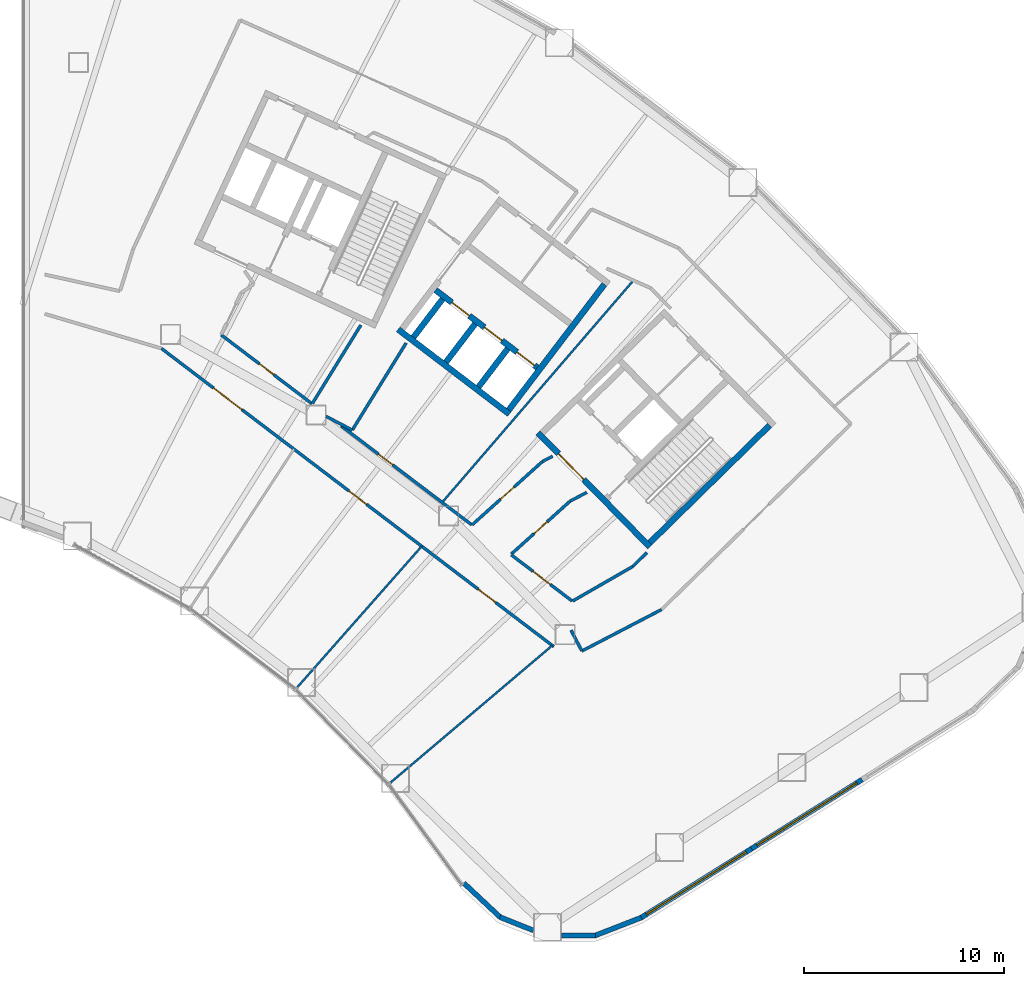
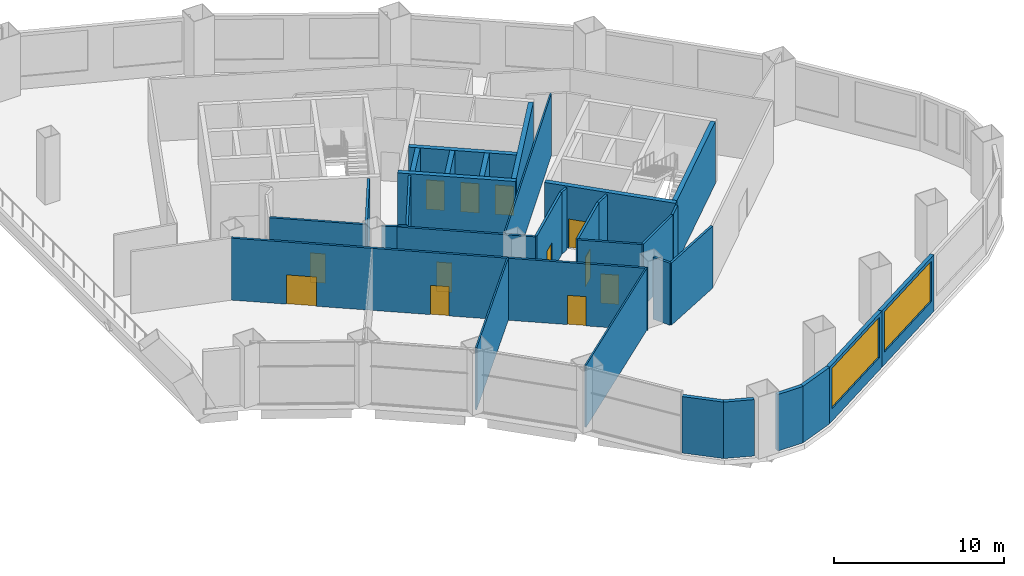
# One storey, part 15 of 20: 32 walls, 12 doors, 2 windows, 14 openings.
"""IFC4 building model written with IfcOpenShell, lengths in metres."""

from ifc_helpers import new_model, si_unit, direction, frame, frame_2d, origin, place, context, subcontext, project, spatial, rectangle, extrude, material, layer, layer_set, type_object, element, fill, save


model = new_model("IFC4")

# Units and contexts
model_context = context("Model", 3, precision=1e-05, world=origin(), true_north=direction((0.0, 1.0)))
body_context = subcontext(model_context, "Body", "Model", "MODEL_VIEW")
ifc_project = project(units=[si_unit("LENGTHUNIT", "METRE"), si_unit("AREAUNIT", "SQUARE_METRE"), si_unit("VOLUMEUNIT", "CUBIC_METRE"), si_unit("PLANEANGLEUNIT", "RADIAN"), si_unit("MASSUNIT", "GRAM", prefix="KILO")], contexts=[model_context])

# Site, building, storey
site_placement = place(None, origin())
site = spatial("IfcSite", under=ifc_project, at=site_placement, CompositionType="ELEMENT")
building_placement = place(site_placement, origin())
building = spatial("IfcBuilding", under=site, at=building_placement, Name="Tuul Gate Civic Tower", CompositionType="ELEMENT")
storey_placement = place(building_placement, frame((0.0, 0.0, 12.300048828125)))
storey = spatial("IfcBuildingStorey", under=building, at=storey_placement, Name="Level 02", CompositionType="ELEMENT", Elevation=12.300048828125)

# Wall, opening, door
ifc_material_1 = material(Name="Concrete C50/60", Category="concrete")
ifc_layer_1 = layer(ifc_material_1, 0.300048828125)
ifc_layer_set_1 = layer_set([ifc_layer_1], Name="Concrete C50/60")
wall_type_1 = type_object("IfcWallType", Name="Core wall C50/60", PredefinedType="SHEAR", material=ifc_layer_set_1)
wall_1_placement = place(storey_placement, frame((48.22509765625, -18.327880859375, 0.0), z_axis=(0.0, 0.0, 1.0), x_axis=(-0.700021979774, 0.714121297703, 0.0)))
wall_1 = element("IfcWall", 1, at=wall_1_placement, inside=storey, type_object=wall_type_1, Name="Core wall", PredefinedType="SHEAR", context=body_context, shape_type="SweptSolid", body=[
    extrude(rectangle(XDim=8.0, YDim=0.300048828125, at=frame_2d((4.0, 0.0))), origin(), (0.0, 0.0, 1.0), 4.449951171875),
])
opening_1_placement = place(wall_1_placement, frame((4.72509765625, 0.0, 0.0)))
opening_1 = element("IfcOpeningElement", 2, at=opening_1_placement, cuts=wall_1, Name="Opening LB-E1-LOBBY-1", PredefinedType="OPENING", context=body_context, shape_type="SweptSolid", body=[
    extrude(rectangle(XDim=1.800048828125, YDim=2.10009765625, at=frame_2d((0.89990234375, 1.050048828125))), frame((0.0, 0.16015625, 0.0), z_axis=(0.0, -1.0, 0.0), x_axis=(1.0, 0.0, 0.0)), (0.0, 0.0, 1.0), 0.320068359375),
])
ifc_material_2 = material(Name="Steel", Category="steel")
door_type_1 = type_object("IfcDoorType", Name="Lobby door", OperationType="DOUBLE_DOOR_SINGLE_SWING", PredefinedType="DOOR", material=ifc_material_2)
door_1_placement = place(opening_1_placement, frame((1.800048828125, 0.0, 0.0), z_axis=(0.0, 0.0, 1.0), x_axis=(-1.0, 0.0, 0.0)))
door_1 = element("IfcDoor", 3, at=door_1_placement, inside=storey, type_object=door_type_1, Name="Lobby door E1-LOBBY", OperationType="DOUBLE_DOOR_SINGLE_SWING", OverallHeight=2.10009765625, OverallWidth=1.800048828125, PredefinedType="DOOR", context=body_context, shape_type="SweptSolid", body=[
    extrude(rectangle(XDim=1.800048828125, YDim=2.10009765625, at=frame_2d((0.900146484375, 1.050048828125))), frame((0.0, 0.02490234375, 0.0), z_axis=(0.0, -1.0, 0.0), x_axis=(1.0, 0.0, 0.0)), (0.0, 0.0, 1.0), 0.050048828125),
])
fill(opening_1, door_1)

# Wall
wall_2_placement = place(storey_placement, frame((48.227294921875, -18.115966796875, 0.0), z_axis=(0.0, 0.0, 1.0), x_axis=(0.714105315431, 0.700038283577, 0.0)))
element("IfcWall", 4, at=wall_2_placement, inside=storey, type_object=wall_type_1, Name="Core wall", PredefinedType="SHEAR", context=body_context, shape_type="SweptSolid", body=[
    extrude(rectangle(XDim=8.400146484375, YDim=0.300048828125, at=frame_2d((4.2001953125, 0.0))), origin(), (0.0, 0.0, 1.0), 4.449951171875),
])

# Wall, openings, doors
ifc_material_3 = material(Name="Gypsum board partition")
ifc_layer_2 = layer(ifc_material_3, 0.14990234375)
ifc_layer_set_2 = layer_set([ifc_layer_2], Name="Gypsum board partition")
wall_type_2 = type_object("IfcWallType", Name="Corridor wall P150", PredefinedType="PARTITIONING", material=ifc_layer_set_2)
wall_3_placement = place(storey_placement, frame((23.77392578125, -8.393310546875, 0.0), z_axis=(0.0, 0.0, 1.0), x_axis=(0.796174017881, -0.605067709641, 0.0)))
wall_3 = element("IfcWall", 5, at=wall_3_placement, inside=storey, type_object=wall_type_2, Name="p013", PredefinedType="PARTITIONING", context=body_context, shape_type="SweptSolid", body=[
    extrude(rectangle(XDim=24.668701171875, YDim=0.14990234375, at=frame_2d((12.33447265625, 0.0))), origin(), (0.0, 0.0, 1.0), 4.449951171875),
])
opening_2_placement = place(wall_3_placement, frame((19.9208984375, 0.0, 0.0)))
opening_2 = element("IfcOpeningElement", 6, at=opening_2_placement, cuts=wall_3, Name="Opening QB-D02", PredefinedType="OPENING", context=body_context, shape_type="SweptSolid", body=[
    extrude(rectangle(XDim=1.10009765625, YDim=2.10009765625, at=frame_2d((0.550048828125, 1.050048828125))), frame((0.0, 0.0849609375, 0.0), z_axis=(0.0, -1.0, 0.0), x_axis=(1.0, 0.0, 0.0)), (0.0, 0.0, 1.0), 0.169921875),
])
opening_3_placement = place(wall_3_placement, frame((11.7978515625, 0.0, 0.0)))
opening_3 = element("IfcOpeningElement", 7, at=opening_3_placement, cuts=wall_3, Name="Opening QB-D03", PredefinedType="OPENING", context=body_context, shape_type="SweptSolid", body=[
    extrude(rectangle(XDim=1.10009765625, YDim=2.10009765625, at=frame_2d((0.550048828125, 1.050048828125))), frame((0.0, 0.0849609375, 0.0), z_axis=(0.0, -1.0, 0.0), x_axis=(1.0, 0.0, 0.0)), (0.0, 0.0, 1.0), 0.169921875),
])
opening_4_placement = place(wall_3_placement, frame((3.264892578125, 0.0, 0.0)))
opening_4 = element("IfcOpeningElement", 8, at=opening_4_placement, cuts=wall_3, Name="Opening QB-D04", PredefinedType="OPENING", context=body_context, shape_type="SweptSolid", body=[
    extrude(rectangle(XDim=1.800048828125, YDim=2.10009765625, at=frame_2d((0.89990234375, 1.050048828125))), frame((0.0, 0.0849609375, 0.0), z_axis=(0.0, -1.0, 0.0), x_axis=(1.0, 0.0, 0.0)), (0.0, 0.0, 1.0), 0.169921875),
])
ifc_material_4 = material(Name="Timber door leaf", Category="wood")
door_type_2 = type_object("IfcDoorType", Name="Door D11", OperationType="NOTDEFINED", PredefinedType="DOOR", material=ifc_material_4)
door_2_placement = place(opening_2_placement, frame((1.10009765625, 0.0, 0.0), z_axis=(0.0, 0.0, 1.0), x_axis=(-1.0, 0.0, 0.0)))
door_2 = element("IfcDoor", 9, at=door_2_placement, inside=storey, type_object=door_type_2, Name="Door QB-D02", OperationType="SINGLE_SWING_LEFT", OverallHeight=2.10009765625, OverallWidth=1.10009765625, PredefinedType="DOOR", context=body_context, shape_type="SweptSolid", body=[
    extrude(rectangle(XDim=1.10009765625, YDim=2.10009765625, at=frame_2d((0.550048828125, 1.050048828125))), frame((0.0, 0.02490234375, 0.0), z_axis=(0.0, -1.0, 0.0), x_axis=(1.0, 0.0, 0.0)), (0.0, 0.0, 1.0), 0.050048828125),
])
fill(opening_2, door_2)
door_3_placement = place(opening_3_placement, frame((1.10009765625, 0.0, 0.0), z_axis=(0.0, 0.0, 1.0), x_axis=(-1.0, 0.0, 0.0)))
door_3 = element("IfcDoor", 10, at=door_3_placement, inside=storey, type_object=door_type_2, Name="Door QB-D03", OperationType="SINGLE_SWING_LEFT", OverallHeight=2.10009765625, OverallWidth=1.10009765625, PredefinedType="DOOR", context=body_context, shape_type="SweptSolid", body=[
    extrude(rectangle(XDim=1.10009765625, YDim=2.10009765625, at=frame_2d((0.550048828125, 1.050048828125))), frame((0.0, 0.02490234375, 0.0), z_axis=(0.0, -1.0, 0.0), x_axis=(1.0, 0.0, 0.0)), (0.0, 0.0, 1.0), 0.050048828125),
])
fill(opening_3, door_3)
ifc_material_5 = material(Name="Timber door leaf, double", Category="wood")
door_type_3 = type_object("IfcDoorType", Name="Door D18", OperationType="DOUBLE_DOOR_SINGLE_SWING", PredefinedType="DOOR", material=ifc_material_5)
door_4_placement = place(opening_4_placement, frame((1.800048828125, 0.0, 0.0), z_axis=(0.0, 0.0, 1.0), x_axis=(-1.0, 0.0, 0.0)))
door_4 = element("IfcDoor", 11, at=door_4_placement, inside=storey, type_object=door_type_3, Name="Door QB-D04", OperationType="DOUBLE_DOOR_SINGLE_SWING", OverallHeight=2.10009765625, OverallWidth=1.800048828125, PredefinedType="DOOR", context=body_context, shape_type="SweptSolid", body=[
    extrude(rectangle(XDim=1.800048828125, YDim=2.10009765625, at=frame_2d((0.900146484375, 1.050048828125))), frame((0.0, 0.02490234375, 0.0), z_axis=(0.0, -1.0, 0.0), x_axis=(1.0, 0.0, 0.0)), (0.0, 0.0, 1.0), 0.050048828125),
])
fill(opening_4, door_4)

# Walls
wall_4_placement = place(storey_placement, frame((44.28125, -22.5009765625, 0.0), z_axis=(0.0, 0.0, 1.0), x_axis=(0.461647748517, -0.887063332739, 0.0)))
element("IfcWall", 12, at=wall_4_placement, inside=storey, type_object=wall_type_2, Name="p017", PredefinedType="PARTITIONING", context=body_context, shape_type="SweptSolid", body=[
    extrude(rectangle(XDim=1.17236328125, YDim=0.14990234375, at=frame_2d((0.586181640625, 0.0))), origin(), (0.0, 0.0, 1.0), 4.449951171875),
])
wall_5_placement = place(storey_placement, frame((44.822509765625, -23.541015625, 0.0), z_axis=(0.0, 0.0, 1.0), x_axis=(0.88704245399, 0.461687865142, 0.0)))
element("IfcWall", 13, at=wall_5_placement, inside=storey, type_object=wall_type_2, Name="p018", PredefinedType="PARTITIONING", context=body_context, shape_type="SweptSolid", body=[
    extrude(rectangle(XDim=4.495361328125, YDim=0.14990234375, at=frame_2d((2.24755859375, 0.0))), origin(), (0.0, 0.0, 1.0), 4.449951171875),
])
wall_6_placement = place(storey_placement, frame((47.370849609375, -19.305419921875, 0.0), z_axis=(0.0, 0.0, 1.0), x_axis=(0.714075247731, 0.700068954159, 0.0)))
element("IfcWall", 14, at=wall_6_placement, inside=storey, type_object=wall_type_2, Name="p043", PredefinedType="PARTITIONING", context=body_context, shape_type="SweptSolid", body=[
    extrude(rectangle(XDim=0.99365234375, YDim=0.14990234375, at=frame_2d((0.496826171875, 0.0))), origin(), (0.0, 0.0, 1.0), 4.449951171875),
])
wall_7_placement = place(storey_placement, frame((44.35986328125, -21.039306640625, 0.0), z_axis=(0.0, 0.0, 1.0), x_axis=(0.866710059608, 0.498812261852, 0.0)))
element("IfcWall", 15, at=wall_7_placement, inside=storey, type_object=wall_type_2, Name="p044", PredefinedType="PARTITIONING", context=body_context, shape_type="SweptSolid", body=[
    extrude(rectangle(XDim=3.46875, YDim=0.14990234375, at=frame_2d((1.734375, 0.0))), origin(), (0.0, 0.0, 1.0), 4.449951171875),
])

# Wall, opening, door
wall_8_placement = place(storey_placement, frame((26.769775390625, -7.71630859375, 0.0), z_axis=(0.0, 0.0, 1.0), x_axis=(0.796809603835, -0.604230465332, 0.0)))
wall_8 = element("IfcWall", 16, at=wall_8_placement, inside=storey, type_object=wall_type_2, Name="p045", PredefinedType="PARTITIONING", context=body_context, shape_type="SweptSolid", body=[
    extrude(rectangle(XDim=5.685791015625, YDim=0.14990234375, at=frame_2d((2.8427734375, 0.0))), origin(), (0.0, 0.0, 1.0), 4.449951171875),
])
opening_5_placement = place(wall_8_placement, frame((2.392822265625, 0.0, 0.0)))
opening_5 = element("IfcOpeningElement", 17, at=opening_5_placement, cuts=wall_8, Name="Opening QB-D17", PredefinedType="OPENING", context=body_context, shape_type="SweptSolid", body=[
    extrude(rectangle(XDim=0.89990234375, YDim=2.10009765625, at=frame_2d((0.449951171875, 1.050048828125))), frame((0.0, 0.0849609375, 0.0), z_axis=(0.0, -1.0, 0.0), x_axis=(1.0, 0.0, 0.0)), (0.0, 0.0, 1.0), 0.169921875),
])
ifc_material_6 = material(Name="Timber door leaf", Category="wood")
door_type_4 = type_object("IfcDoorType", Name="Door D09", OperationType="NOTDEFINED", PredefinedType="DOOR", material=ifc_material_6)
door_5_placement = place(opening_5_placement, origin())
door_5 = element("IfcDoor", 18, at=door_5_placement, inside=storey, type_object=door_type_4, Name="Door QB-D17", OperationType="SINGLE_SWING_RIGHT", OverallHeight=2.10009765625, OverallWidth=0.89990234375, PredefinedType="DOOR", context=body_context, shape_type="SweptSolid", body=[
    extrude(rectangle(XDim=0.89990234375, YDim=2.10009765625, at=frame_2d((0.449951171875, 1.050048828125))), frame((0.0, 0.02490234375, 0.0), z_axis=(0.0, -1.0, 0.0), x_axis=(1.0, 0.0, 0.0)), (0.0, 0.0, 1.0), 0.050048828125),
])
fill(opening_5, door_5)

wall_9_placement = place(storey_placement, frame((32.77490234375, -12.270263671875, 0.0), z_axis=(0.0, 0.0, 1.0), x_axis=(0.796825290456, -0.604209778546, 0.0)))
wall_9 = element("IfcWall", 19, at=wall_9_placement, inside=storey, type_object=wall_type_2, Name="p046", PredefinedType="PARTITIONING", context=body_context, shape_type="SweptSolid", body=[
    extrude(rectangle(XDim=8.195556640625, YDim=0.14990234375, at=frame_2d((4.09765625, 0.0))), origin(), (0.0, 0.0, 1.0), 4.449951171875),
])
opening_6_placement = place(wall_9_placement, frame((2.344482421875, 0.0, 0.0)))
opening_6 = element("IfcOpeningElement", 20, at=opening_6_placement, cuts=wall_9, Name="Opening QB-D16", PredefinedType="OPENING", context=body_context, shape_type="SweptSolid", body=[
    extrude(rectangle(XDim=0.89990234375, YDim=2.10009765625, at=frame_2d((0.449951171875, 1.050048828125))), frame((0.0, 0.0849609375, 0.0), z_axis=(0.0, -1.0, 0.0), x_axis=(1.0, 0.0, 0.0)), (0.0, 0.0, 1.0), 0.169921875),
])
door_6_placement = place(opening_6_placement, origin())
door_6 = element("IfcDoor", 21, at=door_6_placement, inside=storey, type_object=door_type_4, Name="Door QB-D16", OperationType="SINGLE_SWING_RIGHT", OverallHeight=2.10009765625, OverallWidth=0.89990234375, PredefinedType="DOOR", context=body_context, shape_type="SweptSolid", body=[
    extrude(rectangle(XDim=0.89990234375, YDim=2.10009765625, at=frame_2d((0.449951171875, 1.050048828125))), frame((0.0, 0.02490234375, 0.0), z_axis=(0.0, -1.0, 0.0), x_axis=(1.0, 0.0, 0.0)), (0.0, 0.0, 1.0), 0.050048828125),
])
fill(opening_6, door_6)

wall_10_placement = place(storey_placement, frame((41.285400390625, -18.723876953125, 0.0), z_axis=(0.0, 0.0, 1.0), x_axis=(0.796814039797, -0.604224615505, 0.0)))
wall_10 = element("IfcWall", 22, at=wall_10_placement, inside=storey, type_object=wall_type_2, Name="p047", PredefinedType="PARTITIONING", context=body_context, shape_type="SweptSolid", body=[
    extrude(rectangle(XDim=3.82958984375, YDim=0.14990234375, at=frame_2d((1.914794921875, 0.0))), origin(), (0.0, 0.0, 1.0), 4.449951171875),
])
opening_7_placement = place(wall_10_placement, frame((1.364990234375, 0.0, 0.0)))
opening_7 = element("IfcOpeningElement", 23, at=opening_7_placement, cuts=wall_10, Name="Opening QB-D19", PredefinedType="OPENING", context=body_context, shape_type="SweptSolid", body=[
    extrude(rectangle(XDim=1.10009765625, YDim=2.10009765625, at=frame_2d((0.550048828125, 1.050048828125))), frame((0.0, 0.0849609375, 0.0), z_axis=(0.0, -1.0, 0.0), x_axis=(1.0, 0.0, 0.0)), (0.0, 0.0, 1.0), 0.169921875),
])
door_7_placement = place(opening_7_placement, origin())
door_7 = element("IfcDoor", 24, at=door_7_placement, inside=storey, type_object=door_type_2, Name="Door QB-D19", OperationType="SINGLE_SWING_LEFT", OverallHeight=2.10009765625, OverallWidth=1.10009765625, PredefinedType="DOOR", context=body_context, shape_type="SweptSolid", body=[
    extrude(rectangle(XDim=1.10009765625, YDim=2.10009765625, at=frame_2d((0.550048828125, 1.050048828125))), frame((0.0, 0.02490234375, 0.0), z_axis=(0.0, -1.0, 0.0), x_axis=(1.0, 0.0, 0.0)), (0.0, 0.0, 1.0), 0.050048828125),
])
fill(opening_7, door_7)

wall_11_placement = place(storey_placement, frame((41.2841796875, -18.6923828125, 0.0), z_axis=(0.0, 0.0, 1.0), x_axis=(0.742883369113, 0.669420869032, 0.0)))
wall_11 = element("IfcWall", 25, at=wall_11_placement, inside=storey, type_object=wall_type_2, Name="p048", PredefinedType="PARTITIONING", context=body_context, shape_type="SweptSolid", body=[
    extrude(rectangle(XDim=3.96142578125, YDim=0.14990234375, at=frame_2d((1.980712890625, 0.0))), origin(), (0.0, 0.0, 1.0), 4.449951171875),
])
opening_8_placement = place(wall_11_placement, frame((1.53076171875, 0.0, 0.0)))
opening_8 = element("IfcOpeningElement", 26, at=opening_8_placement, cuts=wall_11, Name="Opening QB-D12", PredefinedType="OPENING", context=body_context, shape_type="SweptSolid", body=[
    extrude(rectangle(XDim=0.89990234375, YDim=2.10009765625, at=frame_2d((0.449951171875, 1.050048828125))), frame((0.0, 0.0849609375, 0.0), z_axis=(0.0, -1.0, 0.0), x_axis=(1.0, 0.0, 0.0)), (0.0, 0.0, 1.0), 0.169921875),
])
door_8_placement = place(opening_8_placement, frame((0.89990234375, 0.0, 0.0), z_axis=(0.0, 0.0, 1.0), x_axis=(-1.0, 0.0, 0.0)))
door_8 = element("IfcDoor", 27, at=door_8_placement, inside=storey, type_object=door_type_4, Name="Door QB-D12", OperationType="SINGLE_SWING_LEFT", OverallHeight=2.10009765625, OverallWidth=0.89990234375, PredefinedType="DOOR", context=body_context, shape_type="SweptSolid", body=[
    extrude(rectangle(XDim=0.89990234375, YDim=2.10009765625, at=frame_2d((0.449951171875, 1.050048828125))), frame((0.0, 0.02490234375, 0.0), z_axis=(0.0, -1.0, 0.0), x_axis=(1.0, 0.0, 0.0)), (0.0, 0.0, 1.0), 0.050048828125),
])
fill(opening_8, door_8)

# Wall
wall_12_placement = place(storey_placement, frame((44.231689453125, -16.037109375, 0.0), z_axis=(0.0, 0.0, 1.0), x_axis=(0.885528066976, 0.464585882908, 0.0)))
element("IfcWall", 28, at=wall_12_placement, inside=storey, type_object=wall_type_2, Name="p049", PredefinedType="PARTITIONING", context=body_context, shape_type="SweptSolid", body=[
    extrude(rectangle(XDim=0.9453125, YDim=0.14990234375, at=frame_2d((0.47265625, 0.0))), origin(), (0.0, 0.0, 1.0), 4.449951171875),
])

# Wall, opening, door
wall_13_placement = place(storey_placement, frame((39.33154296875, -17.22119140625, 0.0), z_axis=(0.0, 0.0, 1.0), x_axis=(0.742886110646, 0.669417826629, 0.0)))
wall_13 = element("IfcWall", 29, at=wall_13_placement, inside=storey, type_object=wall_type_2, Name="p059", PredefinedType="PARTITIONING", context=body_context, shape_type="SweptSolid", body=[
    extrude(rectangle(XDim=4.732177734375, YDim=0.14990234375, at=frame_2d((2.3662109375, 0.0))), origin(), (0.0, 0.0, 1.0), 4.449951171875),
])
opening_9_placement = place(wall_13_placement, frame((1.916015625, 0.0, 0.0)))
opening_9 = element("IfcOpeningElement", 30, at=opening_9_placement, cuts=wall_13, Name="Opening QB-D15", PredefinedType="OPENING", context=body_context, shape_type="SweptSolid", body=[
    extrude(rectangle(XDim=0.89990234375, YDim=2.10009765625, at=frame_2d((0.449951171875, 1.050048828125))), frame((0.0, 0.0849609375, 0.0), z_axis=(0.0, -1.0, 0.0), x_axis=(1.0, 0.0, 0.0)), (0.0, 0.0, 1.0), 0.169921875),
])
door_9_placement = place(opening_9_placement, origin())
door_9 = element("IfcDoor", 31, at=door_9_placement, inside=storey, type_object=door_type_4, Name="Door QB-D15", OperationType="SINGLE_SWING_RIGHT", OverallHeight=2.10009765625, OverallWidth=0.89990234375, PredefinedType="DOOR", context=body_context, shape_type="SweptSolid", body=[
    extrude(rectangle(XDim=0.89990234375, YDim=2.10009765625, at=frame_2d((0.449951171875, 1.050048828125))), frame((0.0, 0.02490234375, 0.0), z_axis=(0.0, -1.0, 0.0), x_axis=(1.0, 0.0, 0.0)), (0.0, 0.0, 1.0), 0.050048828125),
])
fill(opening_9, door_9)

# Walls
wall_14_placement = place(storey_placement, frame((42.846923828125, -14.053466796875, 0.0), z_axis=(0.0, 0.0, 1.0), x_axis=(0.886098212809, 0.4634975267, 0.0)))
element("IfcWall", 32, at=wall_14_placement, inside=storey, type_object=wall_type_2, Name="p062", PredefinedType="PARTITIONING", context=body_context, shape_type="SweptSolid", body=[
    extrude(rectangle(XDim=0.572998046875, YDim=0.14990234375, at=frame_2d((0.28662109375, 0.0))), origin(), (0.0, 0.0, 1.0), 4.449951171875),
])
wall_15_placement = place(storey_placement, frame((32.0, -11.7841796875, 0.0), z_axis=(0.0, 0.0, 1.0), x_axis=(0.885518639526, -0.46460385174, 0.0)))
element("IfcWall", 33, at=wall_15_placement, inside=storey, type_object=wall_type_2, Name="p063", PredefinedType="PARTITIONING", context=body_context, shape_type="SweptSolid", body=[
    extrude(rectangle(XDim=1.49755859375, YDim=0.14990234375, at=frame_2d((0.748779296875, 0.0))), origin(), (0.0, 0.0, 1.0), 4.449951171875),
])
wall_16_placement = place(storey_placement, frame((33.3271484375, -12.47998046875, 0.0), z_axis=(0.0, 0.0, 1.0), x_axis=(0.525788895355, 0.850615093636, 0.0)))
element("IfcWall", 34, at=wall_16_placement, inside=storey, type_object=wall_type_2, Name="p064", PredefinedType="PARTITIONING", context=body_context, shape_type="SweptSolid", body=[
    extrude(rectangle(XDim=5.126708984375, YDim=0.14990234375, at=frame_2d((2.5634765625, 0.0))), origin(), (0.0, 0.0, 1.0), 4.449951171875),
])
wall_17_placement = place(storey_placement, frame((31.329833984375, -11.146240234375, 0.0), z_axis=(0.0, 0.0, 1.0), x_axis=(0.525811656339, 0.850601024016, 0.0)))
element("IfcWall", 35, at=wall_17_placement, inside=storey, type_object=wall_type_2, Name="p065", PredefinedType="PARTITIONING", context=body_context, shape_type="SweptSolid", body=[
    extrude(rectangle(XDim=4.61376953125, YDim=0.14990234375, at=frame_2d((2.306884765625, 0.0))), origin(), (0.0, 0.0, 1.0), 4.449951171875),
])
ifc_material_7 = material(Name="Precast concrete C40/50", Category="concrete")
ifc_layer_3 = layer(ifc_material_7, 0.25)
ifc_layer_set_3 = layer_set([ifc_layer_3], Name="Precast concrete C40/50")
wall_type_3 = type_object("IfcWallType", Name="External wall", PredefinedType="STANDARD", material=ifc_layer_set_3)
wall_18_placement = place(storey_placement, frame((38.91552734375, -35.162353515625, 0.0), z_axis=(0.0, 0.0, 1.0), x_axis=(0.72981484367, -0.683644859528, 0.0)))
element("IfcWall", 36, at=wall_18_placement, inside=storey, type_object=wall_type_3, Name="External wall", PredefinedType="STANDARD", context=body_context, shape_type="SweptSolid", body=[
    extrude(rectangle(XDim=2.522216796875, YDim=0.25, at=frame_2d((1.26123046875, 0.0))), origin(), (0.0, 0.0, 1.0), 4.050048828125),
])
wall_19_placement = place(storey_placement, frame((40.717041015625, -36.86181640625, 0.0), z_axis=(0.0, 0.0, 1.0), x_axis=(0.929466539536, -0.368906427001, 0.0)))
element("IfcWall", 37, at=wall_19_placement, inside=storey, type_object=wall_type_3, Name="External wall", PredefinedType="STANDARD", context=body_context, shape_type="SweptSolid", body=[
    extrude(rectangle(XDim=1.81396484375, YDim=0.25, at=frame_2d((0.906982421875, 0.0))), origin(), (0.0, 0.0, 1.0), 4.050048828125),
])
wall_20_placement = place(storey_placement, frame((43.802978515625, -37.780517578125, 0.0), z_axis=(0.0, 0.0, 1.0), x_axis=(0.999995034341, -0.003151395324, 0.0)))
element("IfcWall", 38, at=wall_20_placement, inside=storey, type_object=wall_type_3, Name="External wall", PredefinedType="STANDARD", context=body_context, shape_type="SweptSolid", body=[
    extrude(rectangle(XDim=1.704345703125, YDim=0.25, at=frame_2d((0.85205078125, 0.0))), origin(), (0.0, 0.0, 1.0), 4.050048828125),
])
wall_21_placement = place(storey_placement, frame((45.461669921875, -37.79443359375, 0.0), z_axis=(0.0, 0.0, 1.0), x_axis=(0.931986397936, 0.36249324692, 0.0)))
element("IfcWall", 39, at=wall_21_placement, inside=storey, type_object=wall_type_3, Name="External wall", PredefinedType="STANDARD", context=body_context, shape_type="SweptSolid", body=[
    extrude(rectangle(XDim=2.507568359375, YDim=0.25, at=frame_2d((1.25390625, 0.0))), origin(), (0.0, 0.0, 1.0), 4.050048828125),
])

# Wall, opening, window
wall_22_placement = place(storey_placement, frame((47.77783203125, -36.89599609375, 0.0), z_axis=(0.0, 0.0, 1.0), x_axis=(0.848025609636, 0.529955248489, 0.0)))
wall_22 = element("IfcWall", 40, at=wall_22_placement, inside=storey, type_object=wall_type_3, Name="External wall", PredefinedType="STANDARD", context=body_context, shape_type="SweptSolid", body=[
    extrude(rectangle(XDim=6.52978515625, YDim=0.25, at=frame_2d((3.264892578125, 0.0))), origin(), (0.0, 0.0, 1.0), 4.050048828125),
])
opening_10_placement = place(wall_22_placement, frame((0.314697265625, 0.0, 0.89990234375)))
opening_10 = element("IfcOpeningElement", 41, at=opening_10_placement, cuts=wall_22, Name="Opening W14", PredefinedType="OPENING", context=body_context, shape_type="SweptSolid", body=[
    extrude(rectangle(XDim=5.89990234375, YDim=2.89990234375, at=frame_2d((2.949951171875, 1.449951171875))), frame((0.0, 0.135009765625, 0.0), z_axis=(0.0, -1.0, 0.0), x_axis=(1.0, 0.0, 0.0)), (0.0, 0.0, 1.0), 0.27001953125),
])
ifc_material_8 = material(Name="Glass", Category="glass")
window_type = type_object("IfcWindowType", Name="Window W14 5900 x 2900", PartitioningType="SINGLE_PANEL", PredefinedType="WINDOW", material=ifc_material_8)
window_1_placement = place(opening_10_placement, origin())
window_1 = element("IfcWindow", 42, at=window_1_placement, inside=storey, type_object=window_type, Name="Window", OverallHeight=2.89990234375, OverallWidth=5.89990234375, PartitioningType="SINGLE_PANEL", PredefinedType="WINDOW", context=body_context, shape_type="SweptSolid", body=[
    extrude(rectangle(XDim=5.89990234375, YDim=2.89990234375, at=frame_2d((2.949951171875, 1.449951171875))), frame((0.0, 0.030029296875, 0.0), z_axis=(0.0, -1.0, 0.0), x_axis=(1.0, 0.0, 0.0)), (0.0, 0.0, 1.0), 0.06005859375),
])
fill(opening_10, window_1)

wall_23_placement = place(storey_placement, frame((53.315185546875, -33.435546875, 0.0), z_axis=(0.0, 0.0, 1.0), x_axis=(0.848042412856, 0.529928359306, 0.0)))
wall_23 = element("IfcWall", 43, at=wall_23_placement, inside=storey, type_object=wall_type_3, Name="External wall", PredefinedType="STANDARD", context=body_context, shape_type="SweptSolid", body=[
    extrude(rectangle(XDim=6.529541015625, YDim=0.25, at=frame_2d((3.2646484375, 0.0))), origin(), (0.0, 0.0, 1.0), 4.050048828125),
])
opening_11_placement = place(wall_23_placement, frame((0.314697265625, 0.0, 0.89990234375)))
opening_11 = element("IfcOpeningElement", 44, at=opening_11_placement, cuts=wall_23, Name="Opening W14", PredefinedType="OPENING", context=body_context, shape_type="SweptSolid", body=[
    extrude(rectangle(XDim=5.89990234375, YDim=2.89990234375, at=frame_2d((2.949951171875, 1.449951171875))), frame((0.0, 0.135009765625, 0.0), z_axis=(0.0, -1.0, 0.0), x_axis=(1.0, 0.0, 0.0)), (0.0, 0.0, 1.0), 0.27001953125),
])
window_2_placement = place(opening_11_placement, origin())
window_2 = element("IfcWindow", 45, at=window_2_placement, inside=storey, type_object=window_type, Name="Window", OverallHeight=2.89990234375, OverallWidth=5.89990234375, PartitioningType="SINGLE_PANEL", PredefinedType="WINDOW", context=body_context, shape_type="SweptSolid", body=[
    extrude(rectangle(XDim=5.89990234375, YDim=2.89990234375, at=frame_2d((2.949951171875, 1.449951171875))), frame((0.0, 0.030029296875, 0.0), z_axis=(0.0, -1.0, 0.0), x_axis=(1.0, 0.0, 0.0)), (0.0, 0.0, 1.0), 0.06005859375),
])
fill(opening_11, window_2)

# Wall
ifc_material_9 = material(Name="Concrete C40/50", Category="concrete")
ifc_layer_4 = layer(ifc_material_9, 0.300048828125)
ifc_layer_set_4 = layer_set([ifc_layer_4], Name="Concrete C40/50")
wall_type_4 = type_object("IfcWallType", Name="Lift shaft wall C40/50", PredefinedType="STANDARD", material=ifc_layer_set_4)
wall_24_placement = place(storey_placement, frame((41.19189453125, -11.677734375, 0.0), z_axis=(0.0, 0.0, 1.0), x_axis=(-0.795563000331, 0.605870871147, 0.0)))
element("IfcWall", 46, at=wall_24_placement, inside=storey, type_object=wall_type_4, Name="Shaft wall", PredefinedType="STANDARD", context=body_context, shape_type="SweptSolid", body=[
    extrude(rectangle(XDim=7.000244140625, YDim=0.300048828125, at=frame_2d((3.5, 0.0))), origin(), (0.0, 0.0, 1.0), 4.449951171875),
])

# Wall, openings, doors
wall_25_placement = place(storey_placement, frame((42.5888671875, -9.34765625, 0.0), z_axis=(0.0, 0.0, 1.0), x_axis=(-0.795584062101, 0.605843214149, 0.0)))
wall_25 = element("IfcWall", 47, at=wall_25_placement, inside=storey, type_object=wall_type_4, Name="Shaft wall", PredefinedType="STANDARD", context=body_context, shape_type="SweptSolid", body=[
    extrude(rectangle(XDim=6.400146484375, YDim=0.300048828125, at=frame_2d((3.2001953125, 0.0))), origin(), (0.0, 0.0, 1.0), 4.449951171875),
])
opening_12_placement = place(wall_25_placement, frame((0.175048828125, 0.0, 0.0)))
opening_12 = element("IfcOpeningElement", 48, at=opening_12_placement, cuts=wall_25, Name="Opening LD-L1", PredefinedType="OPENING", context=body_context, shape_type="SweptSolid", body=[
    extrude(rectangle(XDim=1.10009765625, YDim=2.10009765625, at=frame_2d((0.550048828125, 1.050048828125))), frame((0.0, 0.16015625, 0.0), z_axis=(0.0, -1.0, 0.0), x_axis=(1.0, 0.0, 0.0)), (0.0, 0.0, 1.0), 0.320068359375),
])
opening_13_placement = place(wall_25_placement, frame((2.22509765625, 0.0, 0.0)))
opening_13 = element("IfcOpeningElement", 49, at=opening_13_placement, cuts=wall_25, Name="Opening LD-L2", PredefinedType="OPENING", context=body_context, shape_type="SweptSolid", body=[
    extrude(rectangle(XDim=1.10009765625, YDim=2.10009765625, at=frame_2d((0.550048828125, 1.050048828125))), frame((0.0, 0.16015625, 0.0), z_axis=(0.0, -1.0, 0.0), x_axis=(1.0, 0.0, 0.0)), (0.0, 0.0, 1.0), 0.320068359375),
])
opening_14_placement = place(wall_25_placement, frame((4.27490234375, 0.0, 0.0)))
opening_14 = element("IfcOpeningElement", 50, at=opening_14_placement, cuts=wall_25, Name="Opening LD-L3", PredefinedType="OPENING", context=body_context, shape_type="SweptSolid", body=[
    extrude(rectangle(XDim=1.10009765625, YDim=2.10009765625, at=frame_2d((0.550048828125, 1.050048828125))), frame((0.0, 0.16015625, 0.0), z_axis=(0.0, -1.0, 0.0), x_axis=(1.0, 0.0, 0.0)), (0.0, 0.0, 1.0), 0.320068359375),
])
ifc_material_10 = material(Name="Stainless steel", Category="steel")
door_type_5 = type_object("IfcDoorType", Name="Landing door", OperationType="DOUBLE_DOOR_SLIDING", PredefinedType="DOOR", material=ifc_material_10)
door_10_placement = place(opening_12_placement, origin())
door_10 = element("IfcDoor", 51, at=door_10_placement, inside=storey, type_object=door_type_5, Name="Low-rise lift L1 landing door", OperationType="DOUBLE_DOOR_SLIDING", OverallHeight=2.10009765625, OverallWidth=1.10009765625, PredefinedType="DOOR", context=body_context, shape_type="SweptSolid", body=[
    extrude(rectangle(XDim=1.10009765625, YDim=2.10009765625, at=frame_2d((0.550048828125, 1.050048828125))), frame((0.0, 0.02490234375, 0.0), z_axis=(0.0, -1.0, 0.0), x_axis=(1.0, 0.0, 0.0)), (0.0, 0.0, 1.0), 0.050048828125),
])
fill(opening_12, door_10)
door_11_placement = place(opening_13_placement, origin())
door_11 = element("IfcDoor", 52, at=door_11_placement, inside=storey, type_object=door_type_5, Name="Low-rise lift L2 landing door", OperationType="DOUBLE_DOOR_SLIDING", OverallHeight=2.10009765625, OverallWidth=1.10009765625, PredefinedType="DOOR", context=body_context, shape_type="SweptSolid", body=[
    extrude(rectangle(XDim=1.10009765625, YDim=2.10009765625, at=frame_2d((0.550048828125, 1.050048828125))), frame((0.0, 0.02490234375, 0.0), z_axis=(0.0, -1.0, 0.0), x_axis=(1.0, 0.0, 0.0)), (0.0, 0.0, 1.0), 0.050048828125),
])
fill(opening_13, door_11)
door_12_placement = place(opening_14_placement, origin())
door_12 = element("IfcDoor", 53, at=door_12_placement, inside=storey, type_object=door_type_5, Name="Low-rise lift L3 landing door", OperationType="DOUBLE_DOOR_SLIDING", OverallHeight=2.10009765625, OverallWidth=1.10009765625, PredefinedType="DOOR", context=body_context, shape_type="SweptSolid", body=[
    extrude(rectangle(XDim=1.10009765625, YDim=2.10009765625, at=frame_2d((0.550048828125, 1.050048828125))), frame((0.0, 0.02490234375, 0.0), z_axis=(0.0, -1.0, 0.0), x_axis=(1.0, 0.0, 0.0)), (0.0, 0.0, 1.0), 0.050048828125),
])
fill(opening_14, door_12)

# Walls
wall_26_placement = place(storey_placement, frame((41.163330078125, -11.46728515625, 0.0), z_axis=(0.0, 0.0, 1.0), x_axis=(0.605784332699, 0.795628897324, 0.0)))
element("IfcWall", 54, at=wall_26_placement, inside=storey, type_object=wall_type_4, Name="Shaft wall", PredefinedType="STANDARD", context=body_context, shape_type="SweptSolid", body=[
    extrude(rectangle(XDim=7.89990234375, YDim=0.300048828125, at=frame_2d((3.949951171875, 0.0))), origin(), (0.0, 0.0, 1.0), 4.449951171875),
])
wall_27_placement = place(storey_placement, frame((39.65185546875, -10.31640625, 0.0), z_axis=(0.0, 0.0, 1.0), x_axis=(0.605745892068, 0.79565816419, 0.0)))
element("IfcWall", 55, at=wall_27_placement, inside=storey, type_object=wall_type_4, Name="Shaft wall", PredefinedType="STANDARD", context=body_context, shape_type="SweptSolid", body=[
    extrude(rectangle(XDim=2.400146484375, YDim=0.300048828125, at=frame_2d((1.2001953125, 0.0))), origin(), (0.0, 0.0, 1.0), 4.449951171875),
])
wall_28_placement = place(storey_placement, frame((38.02099609375, -9.07421875, 0.0), z_axis=(0.0, 0.0, 1.0), x_axis=(0.605730519254, 0.795669867498, 0.0)))
element("IfcWall", 56, at=wall_28_placement, inside=storey, type_object=wall_type_4, Name="Shaft wall", PredefinedType="STANDARD", context=body_context, shape_type="SweptSolid", body=[
    extrude(rectangle(XDim=2.399658203125, YDim=0.300048828125, at=frame_2d((1.19970703125, 0.0))), origin(), (0.0, 0.0, 1.0), 4.449951171875),
])
wall_29_placement = place(storey_placement, frame((36.389892578125, -7.832275390625, 0.0), z_axis=(0.0, 0.0, 1.0), x_axis=(0.605745892068, 0.79565816419, 0.0)))
element("IfcWall", 57, at=wall_29_placement, inside=storey, type_object=wall_type_4, Name="Shaft wall", PredefinedType="STANDARD", context=body_context, shape_type="SweptSolid", body=[
    extrude(rectangle(XDim=2.400146484375, YDim=0.300048828125, at=frame_2d((1.2001953125, 0.0))), origin(), (0.0, 0.0, 1.0), 4.449951171875),
])
ifc_material_11 = material(Name="Gypsum board partition")
ifc_layer_5 = layer(ifc_material_11, 0.10009765625)
ifc_layer_set_5 = layer_set([ifc_layer_5], Name="Gypsum board partition")
wall_type_5 = type_object("IfcWallType", Name="Partition P100", PredefinedType="PARTITIONING", material=ifc_layer_set_5)
wall_30_placement = place(storey_placement, frame((35.239990234375, -30.12939453125, 0.0), z_axis=(0.0, 0.0, 1.0), x_axis=(0.762825250115, 0.646604699787, 0.0)))
element("IfcWall", 58, at=wall_30_placement, inside=storey, type_object=wall_type_5, Name="p001", PredefinedType="PARTITIONING", context=body_context, shape_type="SweptSolid", body=[
    extrude(rectangle(XDim=10.618896484375, YDim=0.10009765625, at=frame_2d((5.3095703125, 0.0))), origin(), (0.0, 0.0, 1.0), 4.449951171875),
])
wall_31_placement = place(storey_placement, frame((30.567626953125, -25.36279296875, 0.0), z_axis=(0.0, 0.0, 1.0), x_axis=(0.661685887602, 0.749781158838, 0.0)))
element("IfcWall", 59, at=wall_31_placement, inside=storey, type_object=wall_type_5, Name="p012", PredefinedType="PARTITIONING", context=body_context, shape_type="SweptSolid", body=[
    extrude(rectangle(XDim=9.42529296875, YDim=0.10009765625, at=frame_2d((4.712646484375, 0.0))), origin(), (0.0, 0.0, 1.0), 4.449951171875),
])
wall_32_placement = place(storey_placement, frame((37.826171875, -16.1005859375, 0.0), z_axis=(0.0, 0.0, 1.0), x_axis=(0.652762509613, 0.757562608663, 0.0)))
element("IfcWall", 60, at=wall_32_placement, inside=storey, type_object=wall_type_5, Name="p058", PredefinedType="PARTITIONING", context=body_context, shape_type="SweptSolid", body=[
    extrude(rectangle(XDim=14.671630859375, YDim=0.10009765625, at=frame_2d((7.3359375, 0.0))), origin(), (0.0, 0.0, 1.0), 4.449951171875),
])

save(model, "model.ifc")
